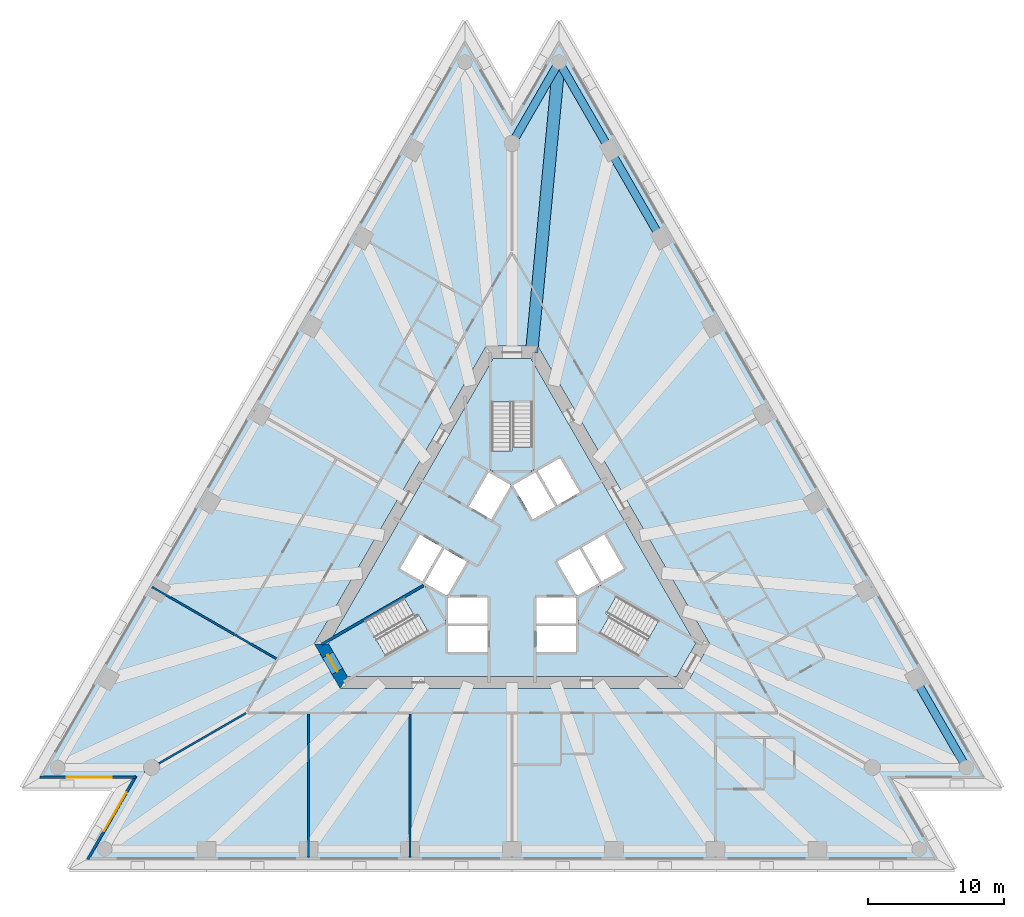
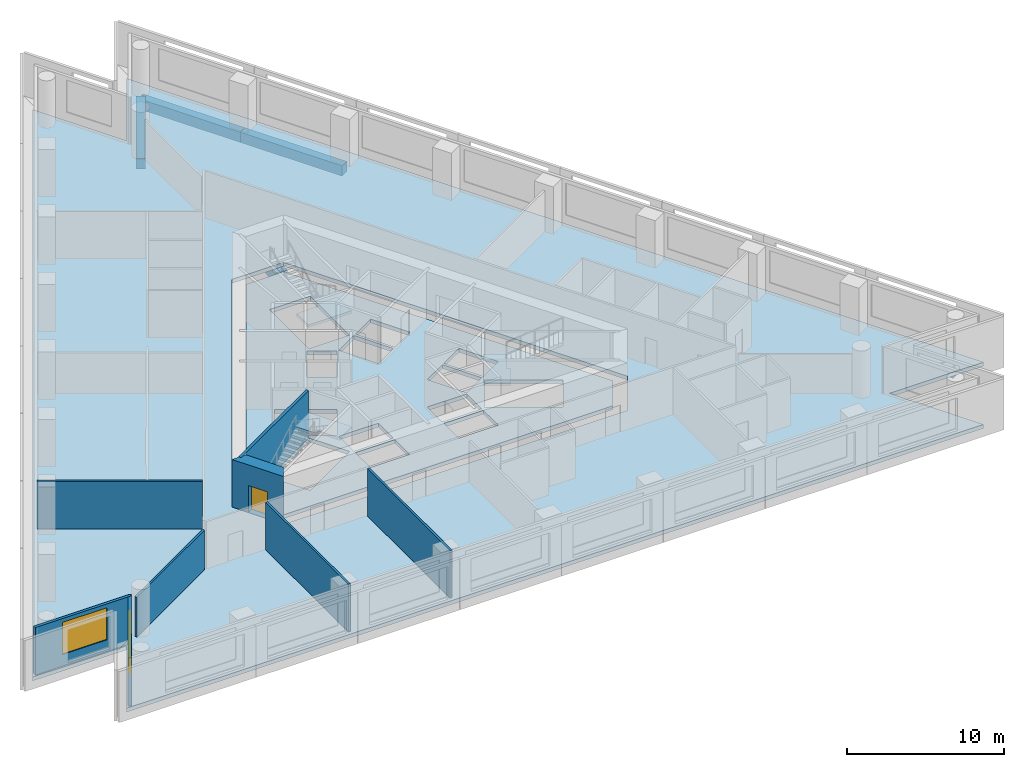
# One storey, part 2 of 9: 8 walls, 5 beams, 5 slabs, 2 windows, 1 door, 3 openings, 3 elements without a shape of their own.
"""IFC4 building model written with IfcOpenShell, lengths in metres."""

from ifc_helpers import new_model, si_unit, direction, frame, frame_2d, origin, origin_2d, place, context, subcontext, project, spatial, polyline, rectangle, outline, extrude, material, layer, layer_set, layer_usage, material_profile, profile_set, type_object, element, fill, aggregate, save


model = new_model("IFC4")

# Units and contexts
model_context = context("Model", 3, precision=1e-05, world=origin(), true_north=direction((0.0, 1.0)))
body_context = subcontext(model_context, "Body", "Model", "MODEL_VIEW")
ifc_project = project(units=[si_unit("LENGTHUNIT", "METRE"), si_unit("AREAUNIT", "SQUARE_METRE"), si_unit("VOLUMEUNIT", "CUBIC_METRE"), si_unit("PLANEANGLEUNIT", "RADIAN"), si_unit("MASSUNIT", "GRAM", prefix="KILO")], contexts=[model_context])

# Site, building, storey
site_placement = place(None, origin())
site = spatial("IfcSite", under=ifc_project, at=site_placement, CompositionType="ELEMENT")
building_placement = place(site_placement, origin())
building = spatial("IfcBuilding", under=site, at=building_placement, Name="Triada Interchange Tower", CompositionType="ELEMENT")
storey_placement = place(building_placement, frame((0.0, 0.0, 55.300048828125)))
storey = spatial("IfcBuildingStorey", under=building, at=storey_placement, Name="L11", CompositionType="ELEMENT", Elevation=55.300048828125)

# Beams
ifc_material_1 = material(Name="Concrete C50/60", Category="concrete")
ifc_material_profile_1 = material_profile(ifc_material_1, rectangle(XDim=0.89990234375, YDim=0.85009765625, at=origin_2d()), Name="RC 900x850")
ifc_profile_set_1 = profile_set([ifc_material_profile_1], Name="Concrete C50/60")
beam_type_1 = type_object("IfcBeamType", Name="Radial band beam A RC 900x850", PredefinedType="BEAM", material=ifc_profile_set_1)
beam_1_placement = place(storey_placement, frame((3.4619140625, 36.617919921875, -0.72509765625), z_axis=(-0.09411553587, -0.995561281844, 0.0), x_axis=(0.995561281844, -0.09411553587, 0.0)))
element("IfcBeam", 1, at=beam_1_placement, inside=storey, type_object=beam_type_1, Name="Radial band beam BA29 L11", PredefinedType="BEAM", context=body_context, shape_type="SweptSolid", body=[
    extrude(rectangle(XDim=0.89990234375, YDim=0.85009765625, at=origin_2d()), origin(), (0.0, 0.0, 1.0), 21.463134765625),
])
ifc_material_profile_2 = material_profile(ifc_material_1, rectangle(XDim=0.60009765625, YDim=0.800048828125, at=origin_2d()), Name="RC 600x800")
ifc_profile_set_2 = profile_set([ifc_material_profile_2], Name="Concrete C50/60")
beam_type_2 = type_object("IfcBeamType", Name="Spandrel beam A RC 600x800", PredefinedType="BEAM", material=ifc_profile_set_2)
beam_2_placement = place(storey_placement, frame((33.443115234375, -15.31103515625, -0.699951171875), z_axis=(-0.500048573981, 0.865997357767, 0.0), x_axis=(-0.865997357767, -0.500048573981, 0.0)))
element("IfcBeam", 2, at=beam_2_placement, inside=storey, type_object=beam_type_2, Name="Spandrel beam EA21 L11", PredefinedType="BEAM", context=body_context, shape_type="SweptSolid", body=[
    extrude(rectangle(XDim=0.60009765625, YDim=0.800048828125, at=origin_2d()), origin(), (0.0, 0.0, 1.0), 7.495361328125),
])
beam_3_placement = place(storey_placement, frame((10.95703125, 23.635986328125, -0.699951171875), z_axis=(-0.49995085413, 0.866053776307, 0.0), x_axis=(-0.866053776307, -0.49995085413, 0.0)))
element("IfcBeam", 3, at=beam_3_placement, inside=storey, type_object=beam_type_2, Name="Spandrel beam EA27 L11", PredefinedType="BEAM", context=body_context, shape_type="SweptSolid", body=[
    extrude(rectangle(XDim=0.60009765625, YDim=0.800048828125, at=origin_2d()), origin(), (0.0, 0.0, 1.0), 7.494873046875),
])
beam_4_placement = place(storey_placement, frame((7.2099609375, 30.126953125, -0.699951171875), z_axis=(-0.500048573981, 0.865997357767, 0.0), x_axis=(-0.865997357767, -0.500048573981, 0.0)))
element("IfcBeam", 4, at=beam_4_placement, inside=storey, type_object=beam_type_2, Name="Spandrel beam EA28 L11", PredefinedType="BEAM", context=body_context, shape_type="SweptSolid", body=[
    extrude(rectangle(XDim=0.60009765625, YDim=0.800048828125, at=origin_2d()), origin(), (0.0, 0.0, 1.0), 7.495361328125),
])
beam_5_placement = place(storey_placement, frame((3.4619140625, 36.617919921875, -0.699951171875), z_axis=(-0.50002260502, -0.866012352376, 0.0), x_axis=(0.866012352376, -0.50002260502, 0.0)))
element("IfcBeam", 5, at=beam_5_placement, inside=storey, type_object=beam_type_2, Name="Spandrel beam EA29 L11", PredefinedType="BEAM", context=body_context, shape_type="SweptSolid", body=[
    extrude(rectangle(XDim=0.60009765625, YDim=0.800048828125, at=origin_2d()), origin(), (0.0, 0.0, 1.0), 6.923583984375),
])

# Slabs
ifc_layer_1 = layer(ifc_material_1, 0.300048828125)
ifc_layer_set_1 = layer_set([ifc_layer_1], Name="Floor slab 300")
slab_type_1 = type_object("IfcSlabType", Name="Floor slab 300", PredefinedType="FLOOR", material=ifc_layer_set_1)
slab_1_placement = place(storey_placement, frame((0.0, 0.0, -0.300048828125)))
element("IfcSlab", 6, at=slab_1_placement, inside=storey, type_object=slab_type_1, Name="Floor slab L11", PredefinedType="FLOOR", context=body_context, shape_type="SweptSolid", body=[
    extrude(outline(polyline([(-3.4619140625, 38.41796875), (-35.001953125, -16.2109375), (-28.077880859375, -16.2109375), (-31.5400390625, -22.20703125), (31.5400390625, -22.20703125), (28.077880859375, -16.2109375), (35.001953125, -16.2109375), (3.4619140625, 38.41796875), (0.0, 32.422119140625), (-3.4619140625, 38.41796875)]), holes=[polyline([(1.905029296875, 15.699951171875), (-1.905029296875, 15.699951171875), (-14.549072265625, -6.199951171875), (-12.64404296875, -9.5), (12.64404296875, -9.5), (14.549072265625, -6.199951171875), (1.905029296875, 15.699951171875)])]), origin(), (0.0, 0.0, 1.0), 0.300048828125),
])
slab_2_placement = place(storey_placement, frame((0.0, 0.0, -0.300048828125)))
element("IfcSlab", 7, at=slab_2_placement, inside=storey, type_object=slab_type_1, Name="Core floor slab L11 1", PredefinedType="FLOOR", context=body_context, shape_type="SweptSolid", body=[
    extrude(outline(polyline([(13.510009765625, -6.199951171875), (12.1240234375, -8.60009765625), (-12.1240234375, -8.60009765625), (-13.510009765625, -6.199951171875), (-1.385986328125, 14.800048828125), (1.385986328125, 14.800048828125), (13.510009765625, -6.199951171875)]), holes=[polyline([(9.2958984375, -7.09912109375), (10.7958984375, -4.5009765625), (6.466064453125, -2.0009765625), (4.966064453125, -4.59912109375), (9.2958984375, -7.09912109375)]), polyline([(6.7890625, 1.841064453125), (5.14404296875, 0.89111328125), (6.593994140625, -1.6201171875), (8.239013671875, -0.669921875), (6.7890625, 1.841064453125)]), polyline([(4.969970703125, 0.791015625), (3.324951171875, -0.158935546875), (4.77490234375, -2.669921875), (6.419921875, -1.719970703125), (4.969970703125, 0.791015625)]), polyline([(1.89404296875, 6.52001953125), (3.343994140625, 4.009033203125), (4.989013671875, 4.958984375), (3.5390625, 7.469970703125), (1.89404296875, 6.52001953125)]), polyline([(1.800048828125, -4.89990234375), (1.800048828125, -6.800048828125), (4.699951171875, -6.800048828125), (4.699951171875, -4.89990234375), (1.800048828125, -4.89990234375)]), polyline([(1.800048828125, -2.800048828125), (1.800048828125, -4.031005859375), (1.800048828125, -4.699951171875), (4.699951171875, -4.699951171875), (4.699951171875, -2.800048828125), (1.800048828125, -2.800048828125)]), polyline([(1.52490234375, 2.958984375), (1.68408203125, 3.051025390625), (3.169921875, 3.908935546875), (1.719970703125, 6.419921875), (0.074951171875, 5.469970703125), (1.52490234375, 2.958984375)]), polyline([(1.5, 11.60009765625), (-1.5, 11.60009765625), (-1.5, 6.60009765625), (1.5, 6.60009765625), (1.5, 11.60009765625)]), polyline([(-0.074951171875, 5.469970703125), (-1.719970703125, 6.419921875), (-3.169921875, 3.908935546875), (-1.6298828125, 3.01904296875), (-1.52490234375, 2.958984375), (-0.074951171875, 5.469970703125)]), polyline([(-4.699951171875, -2.800048828125), (-4.699951171875, -4.699951171875), (-1.800048828125, -4.699951171875), (-1.800048828125, -4.031005859375), (-1.800048828125, -2.800048828125), (-4.699951171875, -2.800048828125)]), polyline([(-4.699951171875, -4.89990234375), (-4.699951171875, -6.800048828125), (-1.800048828125, -6.800048828125), (-1.800048828125, -4.89990234375), (-4.699951171875, -4.89990234375)]), polyline([(-4.77490234375, -2.669921875), (-3.324951171875, -0.158935546875), (-4.969970703125, 0.791015625), (-6.419921875, -1.719970703125), (-4.77490234375, -2.669921875)]), polyline([(-10.7958984375, -4.5009765625), (-9.2958984375, -7.09912109375), (-4.966064453125, -4.59912109375), (-6.466064453125, -2.0009765625), (-10.7958984375, -4.5009765625)]), polyline([(-6.593994140625, -1.6201171875), (-5.14404296875, 0.89111328125), (-6.7890625, 1.841064453125), (-8.239013671875, -0.669921875), (-6.593994140625, -1.6201171875)])]), origin(), (0.0, 0.0, 1.0), 0.300048828125),
])

# Stair, slab
ifc_material_2 = material(Name="Concrete C35/45", Category="concrete")
stair_type = type_object("IfcStairType", Name="HALF TURN STAIR 1400", PredefinedType="HALF_TURN_STAIR", material=ifc_material_2)
stair_1_placement = place(storey_placement, origin())
stair_1 = element("IfcStair", 8, at=stair_1_placement, inside=storey, type_object=stair_type, Name="Exit stair S09-1", PredefinedType="HALF_TURN_STAIR")
ifc_layer_2 = layer(ifc_material_2, 0.199951171875)
ifc_layer_set_2 = layer_set([ifc_layer_2], Name="STAIR LANDING 200")
slab_type_2 = type_object("IfcSlabType", Name="STAIR LANDING 200", PredefinedType="LANDING", material=ifc_layer_set_2)
slab_3_placement = place(storey_placement, frame((0.0, 0.0, 1.719970703125)))
slab_3 = element("IfcSlab", 9, at=slab_3_placement, type_object=slab_type_2, Name="S09-1 landing 1", PredefinedType="LANDING", context=body_context, shape_type="SweptSolid", body=[
    extrude(outline(polyline([(1.60009765625, 6.5), (1.60009765625, 8.300048828125), (0.0, 8.300048828125), (0.0, 8.0), (-1.60009765625, 8.0), (-1.60009765625, 6.5), (1.60009765625, 6.5)])), origin(), (0.0, 0.0, 1.0), 0.199951171875),
])
aggregate(stair_1, [slab_3])

stair_2_placement = place(storey_placement, origin())
stair_2 = element("IfcStair", 10, at=stair_2_placement, inside=storey, type_object=stair_type, Name="Exit stair S09-2", PredefinedType="HALF_TURN_STAIR")
slab_4_placement = place(storey_placement, frame((0.0, 0.0, 1.719970703125)))
slab_4 = element("IfcSlab", 11, at=slab_4_placement, type_object=slab_type_2, Name="S09-2 landing 1", PredefinedType="LANDING", context=body_context, shape_type="SweptSolid", body=[
    extrude(outline(polyline([(-6.428955078125, -1.864013671875), (-7.988037109375, -2.763916015625), (-7.18798828125, -4.14990234375), (-6.927978515625, -4.0), (-6.1279296875, -5.385986328125), (-4.8291015625, -4.635986328125), (-6.428955078125, -1.864013671875)])), origin(), (0.0, 0.0, 1.0), 0.199951171875),
])
aggregate(stair_2, [slab_4])

stair_3_placement = place(storey_placement, origin())
stair_3 = element("IfcStair", 12, at=stair_3_placement, inside=storey, type_object=stair_type, Name="Exit stair S09-3", PredefinedType="HALF_TURN_STAIR")
slab_5_placement = place(storey_placement, frame((0.0, 0.0, 1.719970703125)))
slab_5 = element("IfcSlab", 13, at=slab_5_placement, type_object=slab_type_2, Name="S09-3 landing 1", PredefinedType="LANDING", context=body_context, shape_type="SweptSolid", body=[
    extrude(outline(polyline([(4.8291015625, -4.635986328125), (6.387939453125, -5.535888671875), (7.18798828125, -4.14990234375), (6.927978515625, -4.0), (7.72802734375, -2.614013671875), (6.428955078125, -1.864013671875), (4.8291015625, -4.635986328125)])), origin(), (0.0, 0.0, 1.0), 0.199951171875),
])
aggregate(stair_3, [slab_5])

# Wall
ifc_material_3 = material(Name="Concrete C30/37", Category="concrete")
ifc_layer_3 = layer(ifc_material_3, 0.199951171875)
ifc_layer_set_3 = layer_set([ifc_layer_3], Name="CORE WALL 200 REI 240")
wall_type_1 = type_object("IfcWallType", Name="CORE WALL 200 REI 240", PredefinedType="SOLIDWALL", material=ifc_layer_set_3)
wall_1_placement = place(storey_placement, frame((-13.989990234375, -6.22900390625, 0.0), z_axis=(0.0, 0.0, 1.0), x_axis=(0.866060059011, 0.499939970583, 0.0)))
element("IfcWall", 14, at=wall_1_placement, inside=storey, type_object=wall_type_1, Name="Wall L09 75", PredefinedType="SOLIDWALL", context=body_context, shape_type="SweptSolid", body=[
    extrude(rectangle(XDim=8.61474609375, YDim=0.199951171875, at=frame_2d((4.307373046875, 0.0))), origin(), (0.0, 0.0, 1.0), 3.699951171875),
])

# Wall, opening, door
ifc_material_4 = material(Name="Concrete C70/85", Category="concrete")
ifc_layer_4 = layer(ifc_material_4, 0.89990234375)
ifc_layer_set_4 = layer_set([ifc_layer_4], Name="Core wall A 900")
wall_type_2 = type_object("IfcWallType", Name="Core wall A 900", PredefinedType="SHEAR", material=ifc_layer_set_4)
wall_2_placement = place(storey_placement, frame((-14.030029296875, -6.199951171875, -0.300048828125), z_axis=(0.0, 0.0, 1.0), x_axis=(0.500111984565, -0.865960739811, 0.0)))
wall_2 = element("IfcWall", 15, at=wall_2_placement, inside=storey, type_object=wall_type_2, Name="Core wall WA03 L11", PredefinedType="SHEAR", context=body_context, shape_type="SweptSolid", body=[
    extrude(outline(polyline([(-0.260009765625, -0.448974609375), (1.6455078125, -0.449462890625), (3.551025390625, -0.449951171875), (3.031982421875, 0.449951171875), (1.64599609375, 0.449951171875), (0.260009765625, 0.449951171875), (-0.260009765625, -0.448974609375)])), origin(), (0.0, 0.0, 1.0), 4.0),
])
opening_1_placement = place(wall_2_placement, frame((0.946044921875, 0.0, 0.300048828125)))
opening_1 = element("IfcOpeningElement", 16, at=opening_1_placement, cuts=wall_2, Name="Opening D09-37", PredefinedType="OPENING", context=body_context, shape_type="SweptSolid", body=[
    extrude(rectangle(XDim=1.39990234375, YDim=2.10009765625, at=frame_2d((0.699951171875, 1.050048828125))), frame((0.0, 0.4599609375, 0.0), z_axis=(0.0, -1.0, 0.0), x_axis=(1.0, 0.0, 0.0)), (0.0, 0.0, 1.0), 0.919921875),
])
ifc_material_5 = material(Name="Steel S235 door leaf", Category="steel")
door_type = type_object("IfcDoorType", Name="STAIR DOOR 1400 EI2 90-C5S200", OperationType="DOUBLE_DOOR_SINGLE_SWING", PredefinedType="DOOR", material=ifc_material_5)
door_placement = place(opening_1_placement, origin())
door = element("IfcDoor", 17, at=door_placement, inside=storey, type_object=door_type, Name="Door D09-37 L11", OperationType="DOUBLE_DOOR_SINGLE_SWING", OverallHeight=2.10009765625, OverallWidth=1.39990234375, PredefinedType="DOOR", context=body_context, shape_type="SweptSolid", body=[
    extrude(rectangle(XDim=1.39990234375, YDim=2.10009765625, at=frame_2d((0.699951171875, 1.050048828125))), frame((0.0, 0.02490234375, 0.0), z_axis=(0.0, -1.0, 0.0), x_axis=(1.0, 0.0, 0.0)), (0.0, 0.0, 1.0), 0.050048828125),
])
fill(opening_1, door)

# Wall, opening, window
ifc_material_6 = material(Name="Cement board")
ifc_layer_5 = layer(ifc_material_6, 0.02001953125, Name="Cement board cladding")
ifc_material_7 = material(Name="Sheathing board")
ifc_layer_6 = layer(ifc_material_7, 0.014892578125, Name="Sheathing board")
ifc_material_8 = material(Name="Mineral wool")
ifc_layer_7 = layer(ifc_material_8, 0.14990234375, Name="Mineral wool between steel studs")
ifc_material_9 = material(Name="Gypsum board")
ifc_layer_8 = layer(ifc_material_9, 0.014892578125, Name="Plasterboard lining")
ifc_layer_set_5 = layer_set([ifc_layer_5, ifc_layer_6, ifc_layer_7, ifc_layer_8], Name="External wall 200")
ifc_layer_usage = layer_usage(ifc_layer_set_5, "AXIS2", "POSITIVE", -0.10009765625)
wall_type_3 = type_object("IfcWallType", Name="External wall 200", PredefinedType="ELEMENTEDWALL", material=ifc_layer_set_5)
wall_3_placement = place(storey_placement, frame((-34.74609375, -16.010986328125, 0.0), z_axis=(0.0, 0.0, 1.0), x_axis=(1.0, 0.0, 0.0)))
wall_3 = element("IfcWall", 18, at=wall_3_placement, inside=storey, type_object=wall_type_3, material=ifc_layer_usage, Name="External wall L11 SW-1", PredefinedType="ELEMENTEDWALL", context=body_context, shape_type="SweptSolid", body=[
    extrude(rectangle(XDim=7.083984375, YDim=0.199951171875, at=frame_2d((3.5419921875, 0.0))), origin(), (0.0, 0.0, 1.0), 3.699951171875),
])
opening_2_placement = place(wall_3_placement, frame((1.989990234375, 0.0, 0.89990234375)))
opening_2 = element("IfcOpeningElement", 19, at=opening_2_placement, cuts=wall_3, Name="Opening WA09", PredefinedType="OPENING", context=body_context, shape_type="SweptSolid", body=[
    extrude(rectangle(XDim=3.300048828125, YDim=2.5, at=frame_2d((1.64990234375, 1.25))), frame((0.0, 0.10986328125, 0.0), z_axis=(0.0, -1.0, 0.0), x_axis=(1.0, 0.0, 0.0)), (0.0, 0.0, 1.0), 0.219970703125),
])
ifc_material_10 = material(Name="Double glazed aluminium window", Category="aluminium")
window_type = type_object("IfcWindowType", Name="Ribbon window A pocket", PartitioningType="SINGLE_PANEL", PredefinedType="WINDOW", material=ifc_material_10)
window_1_placement = place(opening_2_placement, origin())
window_1 = element("IfcWindow", 20, at=window_1_placement, inside=storey, type_object=window_type, Name="Window L11 SW-1 1", OverallHeight=2.5, OverallWidth=3.300048828125, PartitioningType="SINGLE_PANEL", PredefinedType="WINDOW", context=body_context, shape_type="SweptSolid", body=[
    extrude(rectangle(XDim=3.300048828125, YDim=2.5, at=frame_2d((1.64990234375, 1.25))), frame((0.0, 0.030029296875, 0.0), z_axis=(0.0, -1.0, 0.0), x_axis=(1.0, 0.0, 0.0)), (0.0, 0.0, 1.0), 0.06005859375),
])
fill(opening_2, window_1)

wall_4_placement = place(storey_placement, frame((-27.68701171875, -15.93310546875, 0.0), z_axis=(0.0, 0.0, 1.0), x_axis=(-0.499993928037, -0.866028909405, 0.0)))
wall_4 = element("IfcWall", 21, at=wall_4_placement, inside=storey, type_object=wall_type_3, material=ifc_layer_usage, Name="External wall L11 SW-2", PredefinedType="ELEMENTEDWALL", context=body_context, shape_type="SweptSolid", body=[
    extrude(rectangle(XDim=7.083984375, YDim=0.199951171875, at=frame_2d((3.5419921875, 0.0))), origin(), (0.0, 0.0, 1.0), 3.699951171875),
])
opening_3_placement = place(wall_4_placement, frame((1.389892578125, 0.0, 0.89990234375)))
opening_3 = element("IfcOpeningElement", 22, at=opening_3_placement, cuts=wall_4, Name="Opening WA10", PredefinedType="OPENING", context=body_context, shape_type="SweptSolid", body=[
    extrude(rectangle(XDim=3.300048828125, YDim=2.5, at=frame_2d((1.64990234375, 1.25))), frame((0.0, 0.10986328125, 0.0), z_axis=(0.0, -1.0, 0.0), x_axis=(1.0, 0.0, 0.0)), (0.0, 0.0, 1.0), 0.219970703125),
])
window_2_placement = place(opening_3_placement, origin())
window_2 = element("IfcWindow", 23, at=window_2_placement, inside=storey, type_object=window_type, Name="Window L11 SW-2 1", OverallHeight=2.5, OverallWidth=3.300048828125, PartitioningType="SINGLE_PANEL", PredefinedType="WINDOW", context=body_context, shape_type="SweptSolid", body=[
    extrude(rectangle(XDim=3.300048828125, YDim=2.5, at=frame_2d((1.64990234375, 1.25))), frame((0.0, 0.030029296875, 0.0), z_axis=(0.0, -1.0, 0.0), x_axis=(1.0, 0.0, 0.0)), (0.0, 0.0, 1.0), 0.06005859375),
])
fill(opening_3, window_2)

# Walls
ifc_material_11 = material(Name="Gypsum board partition")
ifc_layer_9 = layer(ifc_material_11, 0.14990234375)
ifc_layer_set_6 = layer_set([ifc_layer_9], Name="PARTITION 150 EI 180")
wall_type_4 = type_object("IfcWallType", Name="PARTITION 150 EI 180", PredefinedType="PARTITIONING", material=ifc_layer_set_6)
wall_5_placement = place(storey_placement, frame((-27.055908203125, -15.62109375, 0.0), z_axis=(0.0, 0.0, 1.0), x_axis=(0.866014334421, 0.50001917221, 0.0)))
element("IfcWall", 24, at=wall_5_placement, inside=storey, type_object=wall_type_4, Name="Wall L09 1", PredefinedType="PARTITIONING", context=body_context, shape_type="SweptSolid", body=[
    extrude(rectangle(XDim=8.641845703125, YDim=0.14990234375, at=frame_2d((4.32080078125, 0.0))), origin(), (0.0, 0.0, 1.0), 3.099853515625),
])
wall_6_placement = place(storey_placement, frame((-26.485107421875, -2.01904296875, 0.0), z_axis=(0.0, 0.0, 1.0), x_axis=(0.866027613664, -0.499996172356, 0.0)))
element("IfcWall", 25, at=wall_6_placement, inside=storey, type_object=wall_type_4, Name="Wall L09 3", PredefinedType="PARTITIONING", context=body_context, shape_type="SweptSolid", body=[
    extrude(rectangle(XDim=10.5517578125, YDim=0.14990234375, at=frame_2d((5.27587890625, 0.0))), origin(), (0.0, 0.0, 1.0), 3.699951171875),
])
for number, where, z_axis, x_axis, name in (
    (26, (-14.989990234375, -21.927001953125, 0.0), (0.0, 0.0, 1.0), (0.0, 1.0, 0.0), "Wall L09 8"),
    (27, (-7.4951171875, -21.927001953125, 0.0), (0.0, 0.0, 1.0), (0.0, 1.0, 0.0), "Wall L09 13"),
):
    element("IfcWall", number, at=place(storey_placement, frame(where, z_axis=z_axis, x_axis=x_axis)), inside=storey, type_object=wall_type_4, Name=name, PredefinedType="PARTITIONING", context=body_context, shape_type="SweptSolid", body=[
        extrude(rectangle(XDim=10.552001953125, YDim=0.14990234375, at=frame_2d((5.27587890625, 0.0))), origin(), (0.0, 0.0, 1.0), 3.699951171875),
    ])

save(model, "model.ifc")
